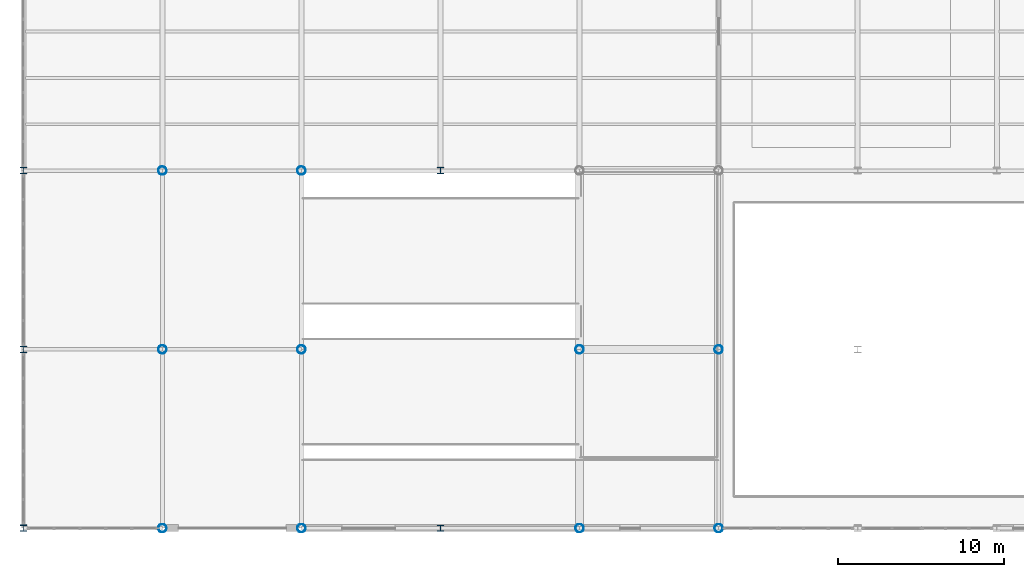
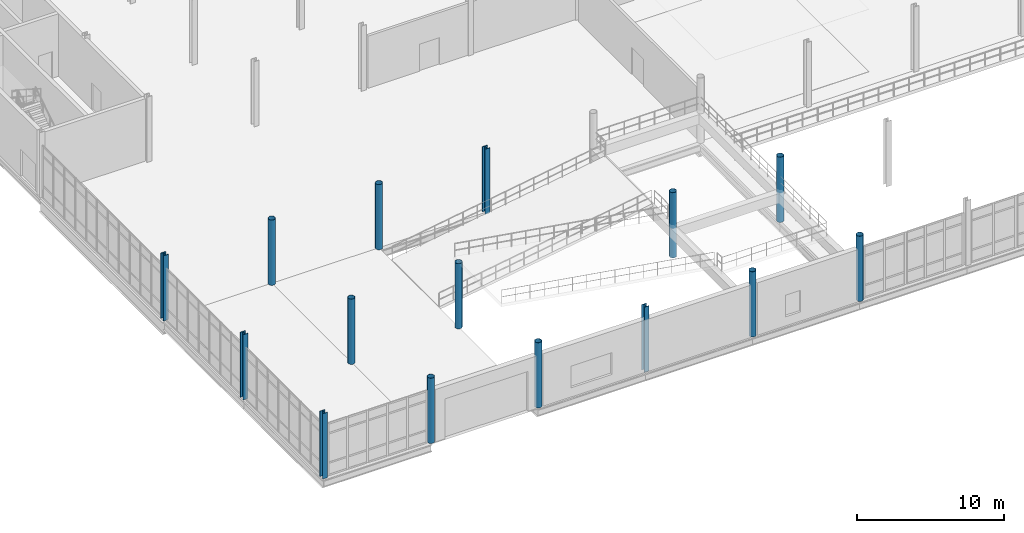
# One storey, part 1 of 111: 15 columns.
"""IFC4 building model written with IfcOpenShell, lengths in metres."""

from ifc_helpers import new_model, si_unit, direction, frame, origin, origin_2d, place, context, subcontext, project, spatial, hollow_circle, i_section, extrude, material, material_profile, profile_set, type_object, element, save


model = new_model("IFC4")

# Units and contexts
model_context = context("Model", 3, precision=1e-05, world=origin(), true_north=direction((0.0, 1.0)))
body_context = subcontext(model_context, "Body", "Model", "MODEL_VIEW")
ifc_project = project(units=[si_unit("LENGTHUNIT", "METRE"), si_unit("AREAUNIT", "SQUARE_METRE"), si_unit("VOLUMEUNIT", "CUBIC_METRE"), si_unit("PLANEANGLEUNIT", "RADIAN"), si_unit("MASSUNIT", "GRAM", prefix="KILO"), si_unit("THERMODYNAMICTEMPERATUREUNIT", "KELVIN"), si_unit("POWERUNIT", "WATT")], contexts=[model_context])

# Site, building, storey
site_placement = place(None, origin())
site = spatial("IfcSite", under=ifc_project, at=site_placement, CompositionType="ELEMENT")
building_placement = place(site_placement, origin())
building = spatial("IfcBuilding", under=site, at=building_placement, Name="Tembeka Court Mobility Hub", CompositionType="ELEMENT")
storey_placement = place(building_placement, origin())
storey = spatial("IfcBuildingStorey", under=building, at=storey_placement, Name="L00", CompositionType="ELEMENT", Elevation=0.0)

# Columns
ifc_material = material(Name="Steel S355", Category="steel")
ifc_material_profile_1 = material_profile(ifc_material, i_section(OverallWidth=0.39892578125, OverallDepth=0.39404296875, WebThickness=0.022705078125, FlangeThickness=0.03662109375, FilletRadius=0.01513671875, at=origin_2d()), Name="UKC 356x406x287")
ifc_profile_set_1 = profile_set([ifc_material_profile_1], Name="Steel S355")
column_type_1 = type_object("IfcColumnType", Name="COL-C01", PredefinedType="COLUMN", material=ifc_profile_set_1)
for number, where, z_axis, x_axis, name in (
    (1, (0.0, 0.0, 0.0), (0.0, 0.0, 1.0), (1.0, 0.0, 0.0), "Column C01 (L00-001)"),
    (2, (0.0, 10.800048828125, 0.0), (0.0, 0.0, 1.0), (1.0, 0.0, 0.0), "Column C01 (L00-002)"),
    (3, (0.0, 21.60009765625, 0.0), (0.0, 0.0, 1.0), (1.0, 0.0, 0.0), "Column C01 (L00-003)"),
    (4, (25.199951171875, 21.60009765625, 0.0), (0.0, 0.0, 1.0), (1.0, 0.0, 0.0), "Column C01 (L00-038)"),
):
    element("IfcColumn", number, at=place(storey_placement, frame(where, z_axis=z_axis, x_axis=x_axis)), inside=storey, type_object=column_type_1, Name=name, PredefinedType="COLUMN", context=body_context, shape_type="SweptSolid", body=[
        extrude(i_section(OverallWidth=0.39892578125, OverallDepth=0.39404296875, WebThickness=0.022705078125, FlangeThickness=0.03662109375, FilletRadius=0.01513671875, at=origin_2d()), origin(), (0.0, 0.0, 1.0), 5.39990234375),
    ])
ifc_material_profile_2 = material_profile(ifc_material, i_section(OverallWidth=0.373046875, OverallDepth=0.367919921875, WebThickness=0.014404296875, FlangeThickness=0.023681640625, FilletRadius=0.01513671875, at=origin_2d()), Name="UKC 356x368x177")
ifc_profile_set_2 = profile_set([ifc_material_profile_2], Name="Steel S355")
column_type_2 = type_object("IfcColumnType", Name="COL-C03", PredefinedType="COLUMN", material=ifc_profile_set_2)
column_placement = place(storey_placement, frame((25.199951171875, 0.0, 0.0), z_axis=(0.0, 0.0, 1.0), x_axis=(1.0, 0.0, 0.0)))
element("IfcColumn", 5, at=column_placement, inside=storey, type_object=column_type_2, Name="Column C03 (L00-037)", PredefinedType="COLUMN", context=body_context, shape_type="SweptSolid", body=[
    extrude(i_section(OverallWidth=0.373046875, OverallDepth=0.367919921875, WebThickness=0.014404296875, FlangeThickness=0.023681640625, FilletRadius=0.01513671875, at=origin_2d()), origin(), (0.0, 0.0, 1.0), 5.39990234375),
])
ifc_material_profile_3 = material_profile(ifc_material, hollow_circle(Radius=0.25390625, WallThickness=0.01611328125, at=origin_2d()), Name="CHS 508x16")
ifc_profile_set_3 = profile_set([ifc_material_profile_3], Name="Steel S355")
column_type_3 = type_object("IfcColumnType", Name="COL-C08", PredefinedType="COLUMN", material=ifc_profile_set_3)
for number, where, z_axis, x_axis, name in (
    (6, (8.39990234375, 0.0, 0.0), (0.0, 0.0, 1.0), (1.0, 0.0, 0.0), "Column C08 (L00-013)"),
    (7, (8.39990234375, 10.800048828125, 0.0), (0.0, 0.0, 1.0), (1.0, 0.0, 0.0), "Column C08 (L00-014)"),
    (8, (8.39990234375, 21.60009765625, 0.0), (0.0, 0.0, 1.0), (1.0, 0.0, 0.0), "Column C08 (L00-015)"),
    (9, (16.800048828125, 0.0, 0.0), (0.0, 0.0, 1.0), (1.0, 0.0, 0.0), "Column C08 (L00-025)"),
    (10, (16.800048828125, 10.800048828125, 0.0), (0.0, 0.0, 1.0), (1.0, 0.0, 0.0), "Column C08 (L00-026)"),
    (11, (16.800048828125, 21.60009765625, 0.0), (0.0, 0.0, 1.0), (1.0, 0.0, 0.0), "Column C08 (L00-027)"),
    (12, (33.60009765625, 0.0, 0.0), (0.0, 0.0, 1.0), (1.0, 0.0, 0.0), "Column C08 (L00-047)"),
    (13, (33.60009765625, 10.800048828125, 0.0), (0.0, 0.0, 1.0), (1.0, 0.0, 0.0), "Column C08 (L00-048)"),
    (14, (42.0, 0.0, 0.0), (0.0, 0.0, 1.0), (1.0, 0.0, 0.0), "Column C08 (L00-059)"),
    (15, (42.0, 10.800048828125, 0.0), (0.0, 0.0, 1.0), (1.0, 0.0, 0.0), "Column C08 (L00-060)"),
):
    element("IfcColumn", number, at=place(storey_placement, frame(where, z_axis=z_axis, x_axis=x_axis)), inside=storey, type_object=column_type_3, Name=name, PredefinedType="COLUMN", context=body_context, shape_type="SweptSolid", body=[
        extrude(hollow_circle(Radius=0.25390625, WallThickness=0.01611328125, at=origin_2d()), origin(), (0.0, 0.0, 1.0), 5.39990234375),
    ])

save(model, "model.ifc")
